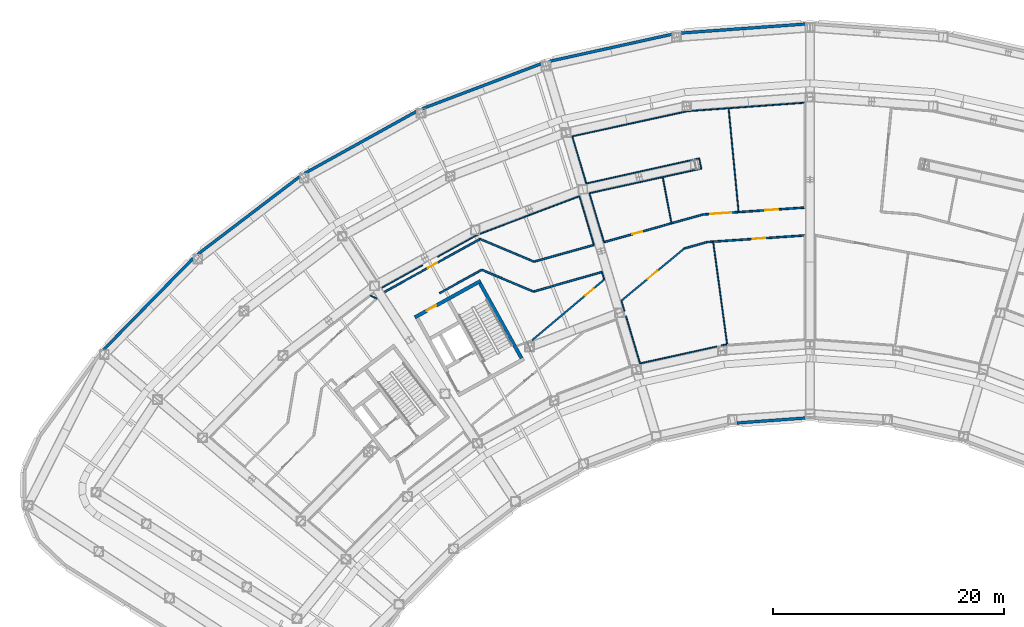
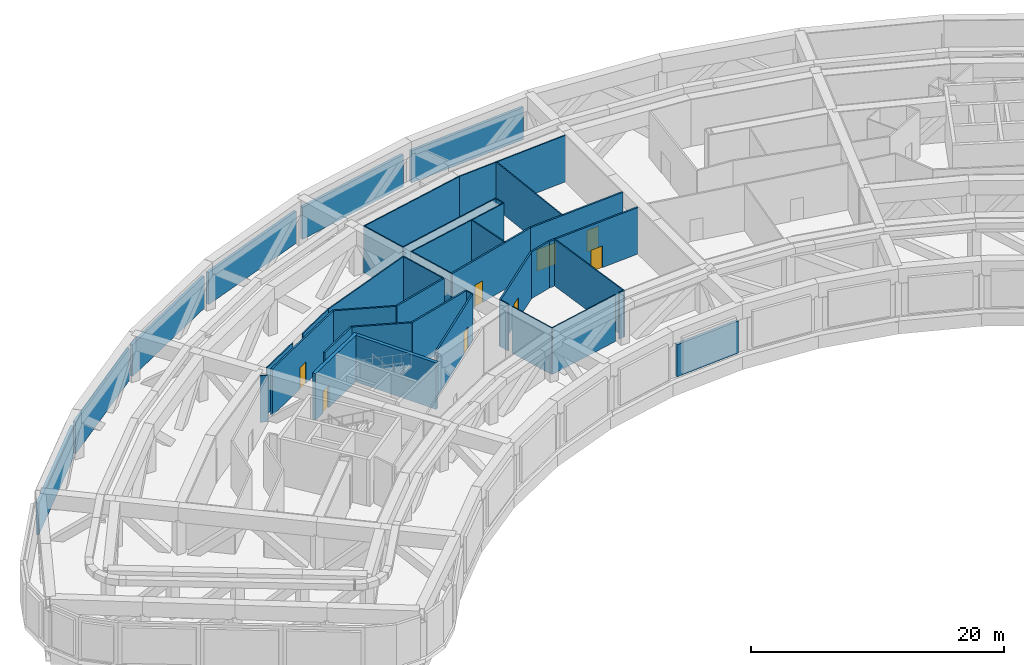
# One storey, part 11 of 30: 41 walls, 8 doors, 8 openings.
"""IFC4 building model written with IfcOpenShell, lengths in metres."""

from ifc_helpers import new_model, si_unit, direction, frame, frame_2d, origin, place, context, subcontext, project, spatial, rectangle, extrude, material, layer, layer_set, type_object, element, fill, save


model = new_model("IFC4")

# Units and contexts
model_context = context("Model", 3, precision=1e-05, world=origin(), true_north=direction((0.0, 1.0)))
body_context = subcontext(model_context, "Body", "Model", "MODEL_VIEW")
ifc_project = project(units=[si_unit("LENGTHUNIT", "METRE"), si_unit("AREAUNIT", "SQUARE_METRE"), si_unit("VOLUMEUNIT", "CUBIC_METRE"), si_unit("PLANEANGLEUNIT", "RADIAN"), si_unit("MASSUNIT", "GRAM", prefix="KILO")], contexts=[model_context])

# Site, building, storey
site_placement = place(None, origin())
site = spatial("IfcSite", under=ifc_project, at=site_placement, CompositionType="ELEMENT")
building_placement = place(site_placement, origin())
building = spatial("IfcBuilding", under=site, at=building_placement, Name="Tuul Gate Civic Tower", CompositionType="ELEMENT")
storey_placement = place(building_placement, frame((0.0, 0.0, 26.699951171875)))
storey = spatial("IfcBuildingStorey", under=building, at=storey_placement, Name="Plant and refuge floor 1", CompositionType="ELEMENT", Elevation=26.699951171875)

# Wall, opening, door
ifc_material_1 = material(Name="Concrete C50/60", Category="concrete")
ifc_layer_1 = layer(ifc_material_1, 0.300048828125)
ifc_layer_set_1 = layer_set([ifc_layer_1], Name="Concrete C50/60")
wall_type_1 = type_object("IfcWallType", Name="Core wall C50/60", PredefinedType="SHEAR", material=ifc_layer_set_1)
wall_1_placement = place(storey_placement, frame((-28.4443359375, -1.98095703125, 0.0), z_axis=(0.0, 0.0, 1.0), x_axis=(-0.874629909008, -0.484791215132, 0.0)))
wall_1 = element("IfcWall", 1, at=wall_1_placement, inside=storey, type_object=wall_type_1, Name="Core wall", PredefinedType="SHEAR", context=body_context, shape_type="SweptSolid", body=[
    extrude(rectangle(XDim=6.5, YDim=0.300048828125, at=frame_2d((3.25, 0.0))), origin(), (0.0, 0.0, 1.0), 4.5),
])
opening_1_placement = place(wall_1_placement, frame((4.425048828125, 0.0, 0.0)))
opening_1 = element("IfcOpeningElement", 2, at=opening_1_placement, cuts=wall_1, Name="Opening PA-D25", PredefinedType="OPENING", context=body_context, shape_type="SweptSolid", body=[
    extrude(rectangle(XDim=0.89990234375, YDim=2.10009765625, at=frame_2d((0.449951171875, 1.050048828125))), frame((0.0, 0.16015625, 0.0), z_axis=(0.0, -1.0, 0.0), x_axis=(1.0, 0.0, 0.0)), (0.0, 0.0, 1.0), 0.320068359375),
])
ifc_material_2 = material(Name="Timber door leaf", Category="wood")
door_type_1 = type_object("IfcDoorType", Name="Door D09", OperationType="NOTDEFINED", PredefinedType="DOOR", material=ifc_material_2)
door_1_placement = place(opening_1_placement, origin())
door_1 = element("IfcDoor", 3, at=door_1_placement, inside=storey, type_object=door_type_1, Name="Door PA-D25", OperationType="SINGLE_SWING_LEFT", OverallHeight=2.10009765625, OverallWidth=0.89990234375, PredefinedType="DOOR", context=body_context, shape_type="SweptSolid", body=[
    extrude(rectangle(XDim=0.89990234375, YDim=2.10009765625, at=frame_2d((0.449951171875, 1.050048828125))), frame((0.0, 0.02490234375, 0.0), z_axis=(0.0, -1.0, 0.0), x_axis=(1.0, 0.0, 0.0)), (0.0, 0.0, 1.0), 0.050048828125),
])
fill(opening_1, door_1)

# Wall
wall_2_placement = place(storey_placement, frame((-24.91552734375, -8.6572265625, 0.0), z_axis=(0.0, 0.0, 1.0), x_axis=(-0.484777133038, 0.874637714304, 0.0)))
element("IfcWall", 4, at=wall_2_placement, inside=storey, type_object=wall_type_1, Name="Core wall", PredefinedType="SHEAR", context=body_context, shape_type="SweptSolid", body=[
    extrude(rectangle(XDim=7.400146484375, YDim=0.300048828125, at=frame_2d((3.7001953125, 0.0))), origin(), (0.0, 0.0, 1.0), 4.5),
])

# Wall, openings, doors
ifc_material_3 = material(Name="Gypsum board partition")
ifc_layer_2 = layer(ifc_material_3, 0.14990234375)
ifc_layer_set_2 = layer_set([ifc_layer_2], Name="Gypsum board partition")
wall_type_2 = type_object("IfcWallType", Name="Corridor wall P150", PredefinedType="PARTITIONING", material=ifc_layer_set_2)
wall_3_placement = place(storey_placement, frame((-9.23681640625, 3.7548828125, 0.0), z_axis=(0.0, 0.0, 1.0), x_axis=(0.997683564411, 0.068025769416, 0.0)))
wall_3 = element("IfcWall", 5, at=wall_3_placement, inside=storey, type_object=wall_type_2, Name="p036", PredefinedType="PARTITIONING", context=body_context, shape_type="SweptSolid", body=[
    extrude(rectangle(XDim=8.807373046875, YDim=0.14990234375, at=frame_2d((4.40380859375, 0.0))), origin(), (0.0, 0.0, 1.0), 4.5),
])
opening_2_placement = place(wall_3_placement, frame((5.39599609375, 0.0, 0.0)))
opening_2 = element("IfcOpeningElement", 6, at=opening_2_placement, cuts=wall_3, Name="Opening PA-D13", PredefinedType="OPENING", context=body_context, shape_type="SweptSolid", body=[
    extrude(rectangle(XDim=1.10009765625, YDim=2.10009765625, at=frame_2d((0.550048828125, 1.050048828125))), frame((0.0, 0.0849609375, 0.0), z_axis=(0.0, -1.0, 0.0), x_axis=(1.0, 0.0, 0.0)), (0.0, 0.0, 1.0), 0.169921875),
])
opening_3_placement = place(wall_3_placement, frame((0.642578125, 0.0, 0.0)))
opening_3 = element("IfcOpeningElement", 7, at=opening_3_placement, cuts=wall_3, Name="Opening PA-D142", PredefinedType="OPENING", context=body_context, shape_type="SweptSolid", body=[
    extrude(rectangle(XDim=1.800048828125, YDim=2.10009765625, at=frame_2d((0.89990234375, 1.050048828125))), frame((0.0, 0.0849609375, 0.0), z_axis=(0.0, -1.0, 0.0), x_axis=(1.0, 0.0, 0.0)), (0.0, 0.0, 1.0), 0.169921875),
])
ifc_material_4 = material(Name="Timber door leaf", Category="wood")
door_type_2 = type_object("IfcDoorType", Name="Door D11", OperationType="NOTDEFINED", PredefinedType="DOOR", material=ifc_material_4)
door_2_placement = place(opening_2_placement, origin())
door_2 = element("IfcDoor", 8, at=door_2_placement, inside=storey, type_object=door_type_2, Name="Door PA-D13", OperationType="SINGLE_SWING_RIGHT", OverallHeight=2.10009765625, OverallWidth=1.10009765625, PredefinedType="DOOR", context=body_context, shape_type="SweptSolid", body=[
    extrude(rectangle(XDim=1.10009765625, YDim=2.10009765625, at=frame_2d((0.550048828125, 1.050048828125))), frame((0.0, 0.02490234375, 0.0), z_axis=(0.0, -1.0, 0.0), x_axis=(1.0, 0.0, 0.0)), (0.0, 0.0, 1.0), 0.050048828125),
])
fill(opening_2, door_2)
ifc_material_5 = material(Name="Timber door leaf, double", Category="wood")
door_type_3 = type_object("IfcDoorType", Name="Door D18", OperationType="DOUBLE_DOOR_SINGLE_SWING", PredefinedType="DOOR", material=ifc_material_5)
door_3_placement = place(opening_3_placement, origin())
door_3 = element("IfcDoor", 9, at=door_3_placement, inside=storey, type_object=door_type_3, Name="Door PA-D14", OperationType="DOUBLE_DOOR_SINGLE_SWING", OverallHeight=2.10009765625, OverallWidth=1.800048828125, PredefinedType="DOOR", context=body_context, shape_type="SweptSolid", body=[
    extrude(rectangle(XDim=1.800048828125, YDim=2.10009765625, at=frame_2d((0.89990234375, 1.050048828125))), frame((0.0, 0.02490234375, 0.0), z_axis=(0.0, -1.0, 0.0), x_axis=(1.0, 0.0, 0.0)), (0.0, 0.0, 1.0), 0.050048828125),
])
fill(opening_3, door_3)

# Wall
wall_4_placement = place(storey_placement, frame((-23.835693359375, -0.318115234375, 0.0), z_axis=(0.0, 0.0, 1.0), x_axis=(0.96321599084, 0.268728403764, 0.0)))
element("IfcWall", 10, at=wall_4_placement, inside=storey, type_object=wall_type_2, Name="p038", PredefinedType="PARTITIONING", context=body_context, shape_type="SweptSolid", body=[
    extrude(rectangle(XDim=5.374755859375, YDim=0.14990234375, at=frame_2d((2.6875, 0.0))), origin(), (0.0, 0.0, 1.0), 4.5),
])

# Wall, opening, door
wall_5_placement = place(storey_placement, frame((-17.791748046875, 1.3681640625, 0.0), z_axis=(0.0, 0.0, 1.0), x_axis=(0.963216821637, 0.268725425882, 0.0)))
wall_5 = element("IfcWall", 11, at=wall_5_placement, inside=storey, type_object=wall_type_2, Name="p039", PredefinedType="PARTITIONING", context=body_context, shape_type="SweptSolid", body=[
    extrude(rectangle(XDim=8.881591796875, YDim=0.14990234375, at=frame_2d((4.44091796875, 0.0))), origin(), (0.0, 0.0, 1.0), 4.5),
])
opening_4_placement = place(wall_5_placement, frame((2.54638671875, 0.0, 0.0)))
opening_4 = element("IfcOpeningElement", 12, at=opening_4_placement, cuts=wall_5, Name="Opening PA-D151", PredefinedType="OPENING", context=body_context, shape_type="SweptSolid", body=[
    extrude(rectangle(XDim=0.89990234375, YDim=2.10009765625, at=frame_2d((0.449951171875, 1.050048828125))), frame((0.0, 0.0849609375, 0.0), z_axis=(0.0, -1.0, 0.0), x_axis=(1.0, 0.0, 0.0)), (0.0, 0.0, 1.0), 0.169921875),
])
door_4_placement = place(opening_4_placement, origin())
door_4 = element("IfcDoor", 13, at=door_4_placement, inside=storey, type_object=door_type_1, Name="Door PA-D15", OperationType="SINGLE_SWING_RIGHT", OverallHeight=2.10009765625, OverallWidth=0.89990234375, PredefinedType="DOOR", context=body_context, shape_type="SweptSolid", body=[
    extrude(rectangle(XDim=0.89990234375, YDim=2.10009765625, at=frame_2d((0.449951171875, 1.050048828125))), frame((0.0, 0.02490234375, 0.0), z_axis=(0.0, -1.0, 0.0), x_axis=(1.0, 0.0, 0.0)), (0.0, 0.0, 1.0), 0.050048828125),
])
fill(opening_4, door_4)

wall_6_placement = place(storey_placement, frame((-24.014892578125, -7.120361328125, 0.0), z_axis=(0.0, 0.0, 1.0), x_axis=(0.765081784981, 0.643933119423, 0.0)))
wall_6 = element("IfcWall", 14, at=wall_6_placement, inside=storey, type_object=wall_type_2, Name="p040", PredefinedType="PARTITIONING", context=body_context, shape_type="SweptSolid", body=[
    extrude(rectangle(XDim=8.16357421875, YDim=0.14990234375, at=frame_2d((4.081787109375, 0.0))), origin(), (0.0, 0.0, 1.0), 4.5),
])
opening_5_placement = place(wall_6_placement, frame((6.031982421875, 0.0, 0.0)))
opening_5 = element("IfcOpeningElement", 15, at=opening_5_placement, cuts=wall_6, Name="Opening PA-D20", PredefinedType="OPENING", context=body_context, shape_type="SweptSolid", body=[
    extrude(rectangle(XDim=0.89990234375, YDim=2.10009765625, at=frame_2d((0.449951171875, 1.050048828125))), frame((0.0, 0.0849609375, 0.0), z_axis=(0.0, -1.0, 0.0), x_axis=(1.0, 0.0, 0.0)), (0.0, 0.0, 1.0), 0.169921875),
])
door_5_placement = place(opening_5_placement, origin())
door_5 = element("IfcDoor", 16, at=door_5_placement, inside=storey, type_object=door_type_1, Name="Door PA-D20", OperationType="SINGLE_SWING_RIGHT", OverallHeight=2.10009765625, OverallWidth=0.89990234375, PredefinedType="DOOR", context=body_context, shape_type="SweptSolid", body=[
    extrude(rectangle(XDim=0.89990234375, YDim=2.10009765625, at=frame_2d((0.449951171875, 1.050048828125))), frame((0.0, 0.02490234375, 0.0), z_axis=(0.0, -1.0, 0.0), x_axis=(1.0, 0.0, 0.0)), (0.0, 0.0, 1.0), 0.050048828125),
])
fill(opening_5, door_5)

wall_7_placement = place(storey_placement, frame((-8.889892578125, 1.373046875, 0.0), z_axis=(0.0, 0.0, 1.0), x_axis=(0.997685739871, 0.067993856035, 0.0)))
wall_7 = element("IfcWall", 17, at=wall_7_placement, inside=storey, type_object=wall_type_2, Name="p042", PredefinedType="PARTITIONING", context=body_context, shape_type="SweptSolid", body=[
    extrude(rectangle(XDim=8.45947265625, YDim=0.14990234375, at=frame_2d((4.229736328125, 0.0))), origin(), (0.0, 0.0, 1.0), 4.5),
])
opening_6_placement = place(wall_7_placement, frame((3.946533203125, 0.0, 0.0)))
opening_6 = element("IfcOpeningElement", 18, at=opening_6_placement, cuts=wall_7, Name="Opening PA-D16", PredefinedType="OPENING", context=body_context, shape_type="SweptSolid", body=[
    extrude(rectangle(XDim=1.10009765625, YDim=2.10009765625, at=frame_2d((0.550048828125, 1.050048828125))), frame((0.0, 0.0849609375, 0.0), z_axis=(0.0, -1.0, 0.0), x_axis=(1.0, 0.0, 0.0)), (0.0, 0.0, 1.0), 0.169921875),
])
door_6_placement = place(opening_6_placement, frame((1.10009765625, 0.0, 0.0), z_axis=(0.0, 0.0, 1.0), x_axis=(-1.0, 0.0, 0.0)))
door_6 = element("IfcDoor", 19, at=door_6_placement, inside=storey, type_object=door_type_2, Name="Door PA-D16", OperationType="SINGLE_SWING_LEFT", OverallHeight=2.10009765625, OverallWidth=1.10009765625, PredefinedType="DOOR", context=body_context, shape_type="SweptSolid", body=[
    extrude(rectangle(XDim=1.10009765625, YDim=2.10009765625, at=frame_2d((0.550048828125, 1.050048828125))), frame((0.0, 0.02490234375, 0.0), z_axis=(0.0, -1.0, 0.0), x_axis=(1.0, 0.0, 0.0)), (0.0, 0.0, 1.0), 0.050048828125),
])
fill(opening_6, door_6)

wall_8_placement = place(storey_placement, frame((-16.301513671875, -3.704345703125, 0.0), z_axis=(0.0, 0.0, 1.0), x_axis=(0.769311137958, 0.638874301419, 0.0)))
wall_8 = element("IfcWall", 20, at=wall_8_placement, inside=storey, type_object=wall_type_2, Name="p045", PredefinedType="PARTITIONING", context=body_context, shape_type="SweptSolid", body=[
    extrude(rectangle(XDim=7.06201171875, YDim=0.14990234375, at=frame_2d((3.531005859375, 0.0))), origin(), (0.0, 0.0, 1.0), 4.5),
])
opening_7_placement = place(wall_8_placement, frame((2.980712890625, 0.0, 0.0)))
opening_7 = element("IfcOpeningElement", 21, at=opening_7_placement, cuts=wall_8, Name="Opening PA-D17", PredefinedType="OPENING", context=body_context, shape_type="SweptSolid", body=[
    extrude(rectangle(XDim=1.10009765625, YDim=2.10009765625, at=frame_2d((0.550048828125, 1.050048828125))), frame((0.0, 0.0849609375, 0.0), z_axis=(0.0, -1.0, 0.0), x_axis=(1.0, 0.0, 0.0)), (0.0, 0.0, 1.0), 0.169921875),
])
door_7_placement = place(opening_7_placement, frame((1.10009765625, 0.0, 0.0), z_axis=(0.0, 0.0, 1.0), x_axis=(-1.0, 0.0, 0.0)))
door_7 = element("IfcDoor", 22, at=door_7_placement, inside=storey, type_object=door_type_2, Name="Door PA-D17", OperationType="SINGLE_SWING_LEFT", OverallHeight=2.10009765625, OverallWidth=1.10009765625, PredefinedType="DOOR", context=body_context, shape_type="SweptSolid", body=[
    extrude(rectangle(XDim=1.10009765625, YDim=2.10009765625, at=frame_2d((0.550048828125, 1.050048828125))), frame((0.0, 0.02490234375, 0.0), z_axis=(0.0, -1.0, 0.0), x_axis=(1.0, 0.0, 0.0)), (0.0, 0.0, 1.0), 0.050048828125),
])
fill(opening_7, door_7)

# Walls
wall_9_placement = place(storey_placement, frame((-23.8916015625, -2.904541015625, 0.0), z_axis=(0.0, 0.0, 1.0), x_axis=(0.961658313593, 0.274250410934, 0.0)))
element("IfcWall", 23, at=wall_9_placement, inside=storey, type_object=wall_type_2, Name="p046", PredefinedType="PARTITIONING", context=body_context, shape_type="SweptSolid", body=[
    extrude(rectangle(XDim=6.16552734375, YDim=0.14990234375, at=frame_2d((3.082763671875, 0.0))), origin(), (0.0, 0.0, 1.0), 4.5),
])
wall_10_placement = place(storey_placement, frame((-10.85986328125, 0.81201171875, 0.0), z_axis=(0.0, 0.0, 1.0), x_axis=(0.961686131116, 0.274152850103, 0.0)))
element("IfcWall", 24, at=wall_10_placement, inside=storey, type_object=wall_type_2, Name="p047", PredefinedType="PARTITIONING", context=body_context, shape_type="SweptSolid", body=[
    extrude(rectangle(XDim=2.04296875, YDim=0.14990234375, at=frame_2d((1.021484375, 0.0))), origin(), (0.0, 0.0, 1.0), 4.5),
])
wall_11_placement = place(storey_placement, frame((-28.4912109375, 1.642822265625, 0.0), z_axis=(0.0, 0.0, 1.0), x_axis=(0.921190505186, -0.389111877427, 0.0)))
element("IfcWall", 25, at=wall_11_placement, inside=storey, type_object=wall_type_2, Name="p048", PredefinedType="PARTITIONING", context=body_context, shape_type="SweptSolid", body=[
    extrude(rectangle(XDim=5.03759765625, YDim=0.14990234375, at=frame_2d((2.518798828125, 0.0))), origin(), (0.0, 0.0, 1.0), 4.5),
])

# Wall, opening, door
wall_12_placement = place(storey_placement, frame((-36.73095703125, -2.923583984375, 0.0), z_axis=(0.0, 0.0, 1.0), x_axis=(0.874631250849, 0.484788794258, 0.0)))
wall_12 = element("IfcWall", 26, at=wall_12_placement, inside=storey, type_object=wall_type_2, Name="p049", PredefinedType="PARTITIONING", context=body_context, shape_type="SweptSolid", body=[
    extrude(rectangle(XDim=9.4189453125, YDim=0.14990234375, at=frame_2d((4.70947265625, 0.0))), origin(), (0.0, 0.0, 1.0), 4.5),
])
opening_8_placement = place(wall_12_placement, frame((4.259521484375, 0.0, 0.0)))
opening_8 = element("IfcOpeningElement", 27, at=opening_8_placement, cuts=wall_12, Name="Opening PA-D181", PredefinedType="OPENING", context=body_context, shape_type="SweptSolid", body=[
    extrude(rectangle(XDim=0.89990234375, YDim=2.10009765625, at=frame_2d((0.449951171875, 1.050048828125))), frame((0.0, 0.0849609375, 0.0), z_axis=(0.0, -1.0, 0.0), x_axis=(1.0, 0.0, 0.0)), (0.0, 0.0, 1.0), 0.169921875),
])
door_8_placement = place(opening_8_placement, origin())
door_8 = element("IfcDoor", 28, at=door_8_placement, inside=storey, type_object=door_type_1, Name="Door PA-D18", OperationType="SINGLE_SWING_RIGHT", OverallHeight=2.10009765625, OverallWidth=0.89990234375, PredefinedType="DOOR", context=body_context, shape_type="SweptSolid", body=[
    extrude(rectangle(XDim=0.89990234375, YDim=2.10009765625, at=frame_2d((0.449951171875, 1.050048828125))), frame((0.0, 0.02490234375, 0.0), z_axis=(0.0, -1.0, 0.0), x_axis=(1.0, 0.0, 0.0)), (0.0, 0.0, 1.0), 0.050048828125),
])
fill(opening_8, door_8)

# Walls
wall_13_placement = place(storey_placement, frame((-31.992919921875, -3.04150390625, 0.0), z_axis=(0.0, 0.0, 1.0), x_axis=(0.874628077144, 0.484794520051, 0.0)))
element("IfcWall", 29, at=wall_13_placement, inside=storey, type_object=wall_type_2, Name="p050", PredefinedType="PARTITIONING", context=body_context, shape_type="SweptSolid", body=[
    extrude(rectangle(XDim=4.15478515625, YDim=0.14990234375, at=frame_2d((2.077392578125, 0.0))), origin(), (0.0, 0.0, 1.0), 4.5),
])
wall_14_placement = place(storey_placement, frame((-28.340087890625, -1.026123046875, 0.0), z_axis=(0.0, 0.0, 1.0), x_axis=(0.921201627502, -0.389085545205, 0.0)))
element("IfcWall", 30, at=wall_14_placement, inside=storey, type_object=wall_type_2, Name="p051", PredefinedType="PARTITIONING", context=body_context, shape_type="SweptSolid", body=[
    extrude(rectangle(XDim=4.8271484375, YDim=0.14990234375, at=frame_2d((2.41357421875, 0.0))), origin(), (0.0, 0.0, 1.0), 4.5),
])
ifc_material_6 = material(Name="Precast concrete C40/50", Category="concrete")
ifc_layer_3 = layer(ifc_material_6, 0.25)
ifc_layer_set_3 = layer_set([ifc_layer_3], Name="Precast concrete C40/50")
wall_type_3 = type_object("IfcWallType", Name="External wall 3100 HIGH", PredefinedType="STANDARD", material=ifc_layer_set_3)
wall_15_placement = place(storey_placement, frame((-0.39990234375, 20.210693359375, 0.0), z_axis=(0.0, 0.0, 1.0), x_axis=(-0.997385864136, -0.072259518555, 0.0)))
element("IfcWall", 31, at=wall_15_placement, inside=storey, type_object=wall_type_3, Name="External wall", PredefinedType="STANDARD", context=body_context, shape_type="SweptSolid", body=[
    extrude(rectangle(XDim=10.744140625, YDim=0.25, at=frame_2d((5.3720703125, 0.0))), origin(), (0.0, 0.0, 1.0), 3.10009765625),
])
wall_16_placement = place(storey_placement, frame((-11.916015625, 19.32421875, 0.0), z_axis=(0.0, 0.0, 1.0), x_axis=(-0.976569806343, -0.215200867424, 0.0)))
element("IfcWall", 32, at=wall_16_placement, inside=storey, type_object=wall_type_3, Name="External wall", PredefinedType="STANDARD", context=body_context, shape_type="SweptSolid", body=[
    extrude(rectangle(XDim=10.822998046875, YDim=0.25, at=frame_2d((5.41162109375, 0.0))), origin(), (0.0, 0.0, 1.0), 3.10009765625),
])
wall_17_placement = place(storey_placement, frame((-23.19189453125, 16.790771484375, 0.0), z_axis=(0.0, 0.0, 1.0), x_axis=(-0.93536069898, -0.353695296552, 0.0)))
element("IfcWall", 33, at=wall_17_placement, inside=storey, type_object=wall_type_3, Name="External wall", PredefinedType="STANDARD", context=body_context, shape_type="SweptSolid", body=[
    extrude(rectangle(XDim=10.969482421875, YDim=0.25, at=frame_2d((5.48486328125, 0.0))), origin(), (0.0, 0.0, 1.0), 3.10009765625),
])
wall_18_placement = place(storey_placement, frame((-33.991943359375, 12.66064453125, 0.0), z_axis=(0.0, 0.0, 1.0), x_axis=(-0.874641231252, -0.484770787686, 0.0)))
element("IfcWall", 34, at=wall_18_placement, inside=storey, type_object=wall_type_3, Name="External wall", PredefinedType="STANDARD", context=body_context, shape_type="SweptSolid", body=[
    extrude(rectangle(XDim=11.03125, YDim=0.25, at=frame_2d((5.515625, 0.0))), origin(), (0.0, 0.0, 1.0), 3.10009765625),
])
wall_19_placement = place(storey_placement, frame((-44.091064453125, 7.017333984375, 0.0), z_axis=(0.0, 0.0, 1.0), x_axis=(-0.795610080094, -0.605809046196, 0.0)))
element("IfcWall", 35, at=wall_19_placement, inside=storey, type_object=wall_type_3, Name="External wall", PredefinedType="STANDARD", context=body_context, shape_type="SweptSolid", body=[
    extrude(rectangle(XDim=11.058349609375, YDim=0.25, at=frame_2d((5.529296875, 0.0))), origin(), (0.0, 0.0, 1.0), 3.10009765625),
])
wall_20_placement = place(storey_placement, frame((-53.278076171875, -0.025634765625, 0.0), z_axis=(0.0, 0.0, 1.0), x_axis=(-0.700011409156, -0.714131659466, 0.0)))
element("IfcWall", 36, at=wall_20_placement, inside=storey, type_object=wall_type_3, Name="External wall", PredefinedType="STANDARD", context=body_context, shape_type="SweptSolid", body=[
    extrude(rectangle(XDim=11.065673828125, YDim=0.25, at=frame_2d((5.53271484375, 0.0))), origin(), (0.0, 0.0, 1.0), 3.10009765625),
])
wall_21_placement = place(storey_placement, frame((-6.304931640625, -14.25537109375, 0.0), z_axis=(0.0, 0.0, 1.0), x_axis=(0.997386820367, 0.072246318654, 0.0)))
element("IfcWall", 37, at=wall_21_placement, inside=storey, type_object=wall_type_3, Name="External wall", PredefinedType="STANDARD", context=body_context, shape_type="SweptSolid", body=[
    extrude(rectangle(XDim=5.92041015625, YDim=0.25, at=frame_2d((2.960205078125, 0.0))), origin(), (0.0, 0.0, 1.0), 3.10009765625),
])
ifc_material_7 = material(Name="Gypsum board partition")
ifc_layer_4 = layer(ifc_material_7, 0.10009765625)
ifc_layer_set_4 = layer_set([ifc_layer_4], Name="Gypsum board partition")
wall_type_4 = type_object("IfcWallType", Name="Partition P100", PredefinedType="PARTITIONING", material=ifc_layer_set_4)
wall_22_placement = place(storey_placement, frame((-7.023193359375, 12.938232421875, 0.0), z_axis=(0.0, 0.0, 1.0), x_axis=(0.095842962771, -0.995396466985, 0.0)))
element("IfcWall", 38, at=wall_22_placement, inside=storey, type_object=wall_type_4, Name="p035", PredefinedType="PARTITIONING", context=body_context, shape_type="SweptSolid", body=[
    extrude(rectangle(XDim=9.014892578125, YDim=0.10009765625, at=frame_2d((4.50732421875, 0.0))), origin(), (0.0, 0.0, 1.0), 4.5),
])
wall_23_placement = place(storey_placement, frame((-12.718017578125, 6.98779296875, 0.0), z_axis=(0.0, 0.0, 1.0), x_axis=(0.186529607466, -0.982449339935, 0.0)))
element("IfcWall", 39, at=wall_23_placement, inside=storey, type_object=wall_type_4, Name="p037", PredefinedType="PARTITIONING", context=body_context, shape_type="SweptSolid", body=[
    extrude(rectangle(XDim=4.06396484375, YDim=0.10009765625, at=frame_2d((2.031982421875, 0.0))), origin(), (0.0, 0.0, 1.0), 4.5),
])
wall_24_placement = place(storey_placement, frame((-8.357421875, 1.409423828125, 0.0), z_axis=(0.0, 0.0, 1.0), x_axis=(0.134859426362, -0.990864741083, 0.0)))
element("IfcWall", 40, at=wall_24_placement, inside=storey, type_object=wall_type_4, Name="p041", PredefinedType="PARTITIONING", context=body_context, shape_type="SweptSolid", body=[
    extrude(rectangle(XDim=9.015380859375, YDim=0.10009765625, at=frame_2d((4.5078125, 0.0))), origin(), (0.0, 0.0, 1.0), 4.5),
])
wall_25_placement = place(storey_placement, frame((-10.583984375, 12.680419921875, 0.0), z_axis=(0.0, 0.0, 1.0), x_axis=(0.997388083395, 0.07222887997, 0.0)))
element("IfcWall", 41, at=wall_25_placement, inside=storey, type_object=wall_type_4, Name="p109", PredefinedType="PARTITIONING", context=body_context, shape_type="SweptSolid", body=[
    extrude(rectangle(XDim=10.16064453125, YDim=0.10009765625, at=frame_2d((5.080322265625, 0.0))), origin(), (0.0, 0.0, 1.0), 4.5),
])
wall_26_placement = place(storey_placement, frame((-20.532470703125, 10.5087890625, 0.0), z_axis=(0.0, 0.0, 1.0), x_axis=(0.976994239399, 0.213265693869, 0.0)))
element("IfcWall", 42, at=wall_26_placement, inside=storey, type_object=wall_type_4, Name="p111", PredefinedType="PARTITIONING", context=body_context, shape_type="SweptSolid", body=[
    extrude(rectangle(XDim=10.182861328125, YDim=0.10009765625, at=frame_2d((5.09130859375, 0.0))), origin(), (0.0, 0.0, 1.0), 4.5),
])
wall_27_placement = place(storey_placement, frame((-19.048583984375, 5.5927734375, 0.0), z_axis=(0.0, 0.0, 1.0), x_axis=(0.976567749153, 0.215210202626, 0.0)))
element("IfcWall", 43, at=wall_27_placement, inside=storey, type_object=wall_type_4, Name="p113", PredefinedType="PARTITIONING", context=body_context, shape_type="SweptSolid", body=[
    extrude(rectangle(XDim=9.90478515625, YDim=0.10009765625, at=frame_2d((4.952392578125, 0.0))), origin(), (0.0, 0.0, 1.0), 4.5),
])
wall_28_placement = place(storey_placement, frame((-9.3759765625, 7.724365234375, 0.0), z_axis=(0.0, 0.0, 1.0), x_axis=(-0.215120525905, 0.976587507259, 0.0)))
element("IfcWall", 44, at=wall_28_placement, inside=storey, type_object=wall_type_4, Name="p114", PredefinedType="PARTITIONING", context=body_context, shape_type="SweptSolid", body=[
    extrude(rectangle(XDim=0.89990234375, YDim=0.10009765625, at=frame_2d((0.449951171875, 0.0))), origin(), (0.0, 0.0, 1.0), 4.5),
])
wall_29_placement = place(storey_placement, frame((-9.569580078125, 8.603271484375, 0.0), z_axis=(0.0, 0.0, 1.0), x_axis=(-0.976134697434, -0.217165956048, 0.0)))
element("IfcWall", 45, at=wall_29_placement, inside=storey, type_object=wall_type_4, Name="p115", PredefinedType="PARTITIONING", context=body_context, shape_type="SweptSolid", body=[
    extrude(rectangle(XDim=9.988525390625, YDim=0.10009765625, at=frame_2d((4.994140625, 0.0))), origin(), (0.0, 0.0, 1.0), 4.5),
])
wall_30_placement = place(storey_placement, frame((-19.31982421875, 6.43408203125, 0.0), z_axis=(0.0, 0.0, 1.0), x_axis=(-0.285239778178, 0.958456190415, 0.0)))
element("IfcWall", 46, at=wall_30_placement, inside=storey, type_object=wall_type_4, Name="p117", PredefinedType="PARTITIONING", context=body_context, shape_type="SweptSolid", body=[
    extrude(rectangle(XDim=4.251220703125, YDim=0.10009765625, at=frame_2d((2.12548828125, 0.0))), origin(), (0.0, 0.0, 1.0), 4.5),
])
wall_31_placement = place(storey_placement, frame((-17.791748046875, 1.3681640625, 0.0), z_axis=(0.0, 0.0, 1.0), x_axis=(-0.285151825827, 0.958482360937, 0.0)))
element("IfcWall", 47, at=wall_31_placement, inside=storey, type_object=wall_type_4, Name="p119", PredefinedType="PARTITIONING", context=body_context, shape_type="SweptSolid", body=[
    extrude(rectangle(XDim=4.40771484375, YDim=0.10009765625, at=frame_2d((2.203857421875, 0.0))), origin(), (0.0, 0.0, 1.0), 4.5),
])
wall_32_placement = place(storey_placement, frame((-7.2294921875, -7.4697265625, 0.0), z_axis=(0.0, 0.0, 1.0), x_axis=(-0.976543679102, -0.21531939719, 0.0)))
element("IfcWall", 48, at=wall_32_placement, inside=storey, type_object=wall_type_4, Name="p123", PredefinedType="PARTITIONING", context=body_context, shape_type="SweptSolid", body=[
    extrude(rectangle(XDim=0.417236328125, YDim=0.10009765625, at=frame_2d((0.20849609375, 0.0))), origin(), (0.0, 0.0, 1.0), 4.5),
])
wall_33_placement = place(storey_placement, frame((-8.049072265625, -7.650390625, 0.0), z_axis=(0.0, 0.0, 1.0), x_axis=(-0.976566616075, -0.215215344173, 0.0)))
element("IfcWall", 49, at=wall_33_placement, inside=storey, type_object=wall_type_4, Name="p124", PredefinedType="PARTITIONING", context=body_context, shape_type="SweptSolid", body=[
    extrude(rectangle(XDim=6.78369140625, YDim=0.10009765625, at=frame_2d((3.391845703125, 0.0))), origin(), (0.0, 0.0, 1.0), 4.5),
])
wall_34_placement = place(storey_placement, frame((-14.673828125, -9.1103515625, 0.0), z_axis=(0.0, 0.0, 1.0), x_axis=(-0.28519427569, 0.958469730932, 0.0)))
element("IfcWall", 50, at=wall_34_placement, inside=storey, type_object=wall_type_4, Name="p125", PredefinedType="PARTITIONING", context=body_context, shape_type="SweptSolid", body=[
    extrude(rectangle(XDim=4.27587890625, YDim=0.10009765625, at=frame_2d((2.137939453125, 0.0))), origin(), (0.0, 0.0, 1.0), 4.5),
])
wall_35_placement = place(storey_placement, frame((-16.017333984375, -4.59521484375, 0.0), z_axis=(0.0, 0.0, 1.0), x_axis=(-0.28518774538, 0.958471674013, 0.0)))
element("IfcWall", 51, at=wall_35_placement, inside=storey, type_object=wall_type_4, Name="p126", PredefinedType="PARTITIONING", context=body_context, shape_type="SweptSolid", body=[
    extrude(rectangle(XDim=0.89208984375, YDim=0.10009765625, at=frame_2d((0.446044921875, 0.0))), origin(), (0.0, 0.0, 1.0), 4.5),
])
wall_36_placement = place(storey_placement, frame((-36.96533203125, -2.564697265625, 0.0), z_axis=(0.0, 0.0, 1.0), x_axis=(0.874589816951, 0.484863539653, 0.0)))
element("IfcWall", 52, at=wall_36_placement, inside=storey, type_object=wall_type_4, Name="p127", PredefinedType="PARTITIONING", context=body_context, shape_type="SweptSolid", body=[
    extrude(rectangle(XDim=3.990478515625, YDim=0.10009765625, at=frame_2d((1.9951171875, 0.0))), origin(), (0.0, 0.0, 1.0), 4.5),
])
wall_37_placement = place(storey_placement, frame((-28.724365234375, 2.003662109375, 0.0), z_axis=(0.0, 0.0, 1.0), x_axis=(0.935369447856, 0.35367215895, 0.0)))
element("IfcWall", 53, at=wall_37_placement, inside=storey, type_object=wall_type_4, Name="p128", PredefinedType="PARTITIONING", context=body_context, shape_type="SweptSolid", body=[
    extrude(rectangle(XDim=9.421875, YDim=0.10009765625, at=frame_2d((4.7109375, 0.0))), origin(), (0.0, 0.0, 1.0), 4.5),
])
wall_38_placement = place(storey_placement, frame((-19.911376953125, 5.3359375, 0.0), z_axis=(0.0, 0.0, 1.0), x_axis=(0.285210434303, -0.958464922762, 0.0)))
element("IfcWall", 54, at=wall_38_placement, inside=storey, type_object=wall_type_4, Name="p129", PredefinedType="PARTITIONING", context=body_context, shape_type="SweptSolid", body=[
    extrude(rectangle(XDim=4.39208984375, YDim=0.10009765625, at=frame_2d((2.196044921875, 0.0))), origin(), (0.0, 0.0, 1.0), 4.5),
])
wall_39_placement = place(storey_placement, frame((-17.96240234375, -1.213623046875, 0.0), z_axis=(0.0, 0.0, 1.0), x_axis=(0.28516696562, -0.958477856666, 0.0)))
element("IfcWall", 55, at=wall_39_placement, inside=storey, type_object=wall_type_4, Name="p136", PredefinedType="PARTITIONING", context=body_context, shape_type="SweptSolid", body=[
    extrude(rectangle(XDim=0.677978515625, YDim=0.10009765625, at=frame_2d((0.3388671875, 0.0))), origin(), (0.0, 0.0, 1.0), 4.5),
])
wall_40_placement = place(storey_placement, frame((-37.98046875, -3.255859375, 0.0), z_axis=(0.0, 0.0, 1.0), x_axis=(0.908388104559, -0.418128032421, 0.0)))
element("IfcWall", 56, at=wall_40_placement, inside=storey, type_object=wall_type_4, Name="p141", PredefinedType="PARTITIONING", context=body_context, shape_type="SweptSolid", body=[
    extrude(rectangle(XDim=0.615966796875, YDim=0.10009765625, at=frame_2d((0.30810546875, 0.0))), origin(), (0.0, 0.0, 1.0), 4.5),
])
wall_41_placement = place(storey_placement, frame((-32.163330078125, 0.09716796875, 0.0), z_axis=(0.0, 0.0, 1.0), x_axis=(0.874593307267, 0.48485724382, 0.0)))
element("IfcWall", 57, at=wall_41_placement, inside=storey, type_object=wall_type_4, Name="p127", PredefinedType="PARTITIONING", context=body_context, shape_type="SweptSolid", body=[
    extrude(rectangle(XDim=3.93212890625, YDim=0.10009765625, at=frame_2d((1.966064453125, 0.0))), origin(), (0.0, 0.0, 1.0), 4.5),
])

save(model, "model.ifc")
